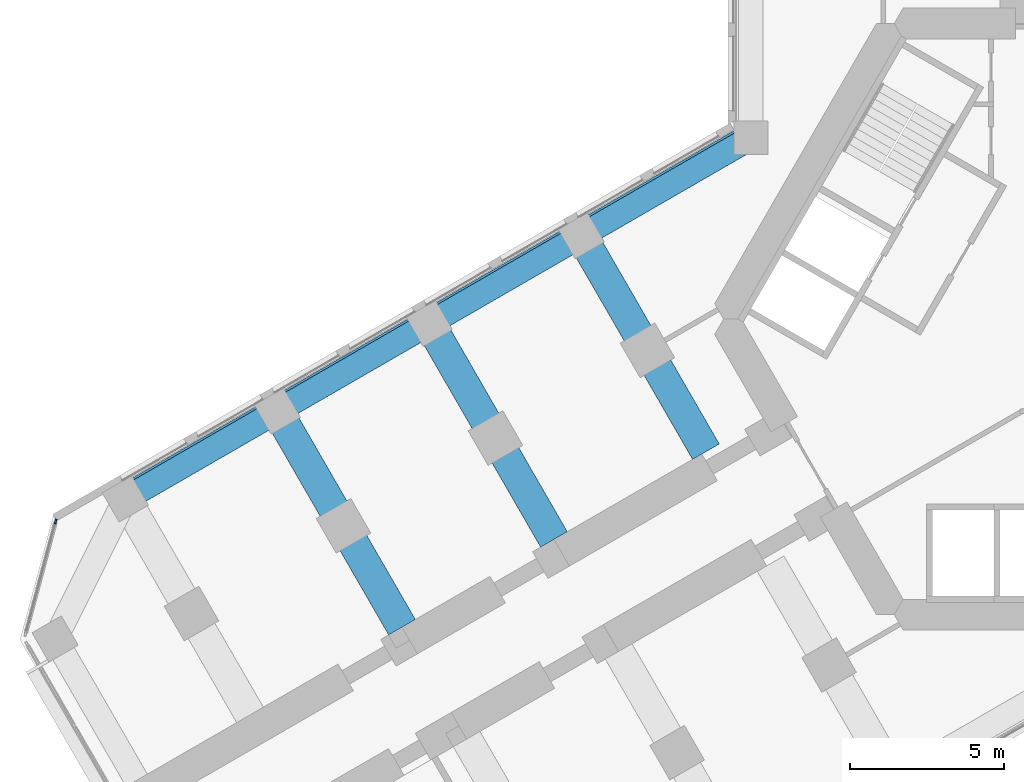
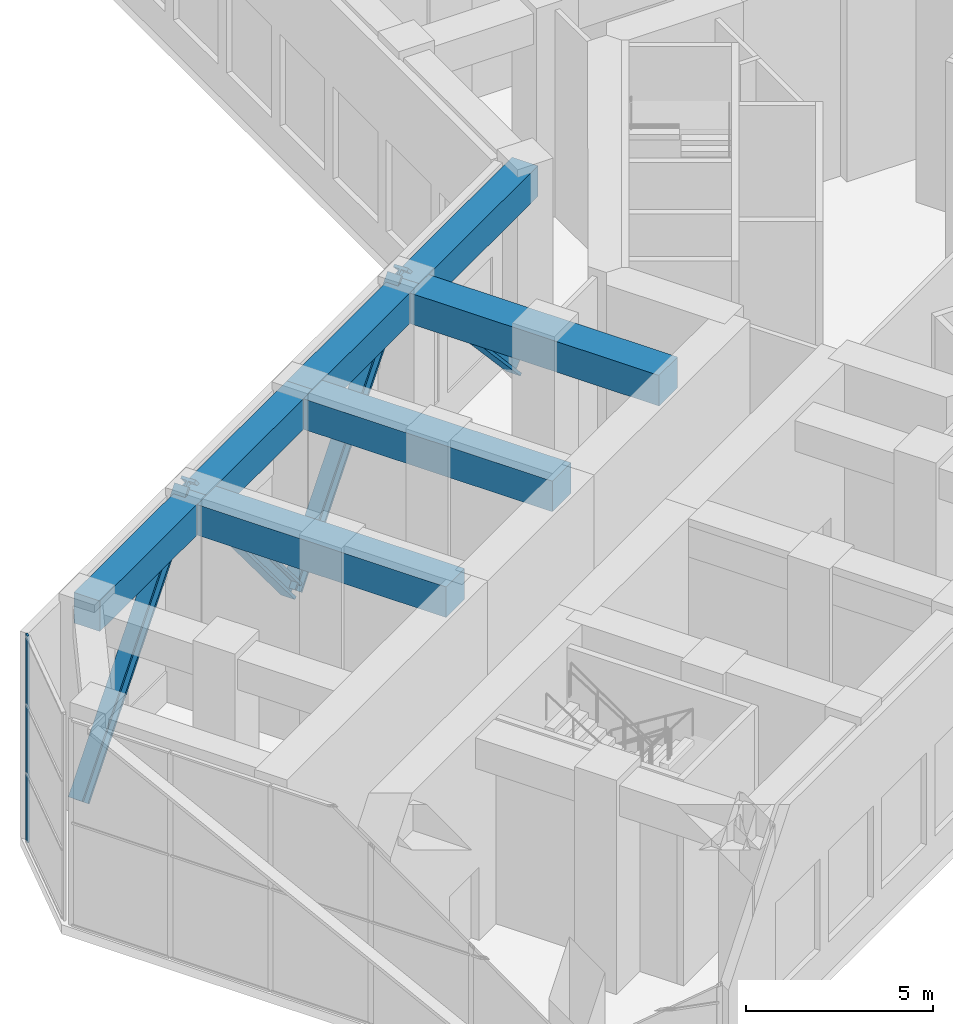
# One storey, part 4 of 17: 7 beams, 5 members, 1 element without a shape of its own.
"""IFC4 building model written with IfcOpenShell, lengths in metres."""

from ifc_helpers import new_model, si_unit, direction, frame, origin, origin_2d, place, context, subcontext, project, spatial, rectangle, i_section, extrude, material, material_profile, profile_set, type_object, element, aggregate, save


model = new_model("IFC4")

# Units and contexts
model_context = context("Model", 3, precision=1e-05, world=origin(), true_north=direction((0.0, 1.0)))
body_context = subcontext(model_context, "Body", "Model", "MODEL_VIEW")
ifc_project = project(units=[si_unit("LENGTHUNIT", "METRE"), si_unit("AREAUNIT", "SQUARE_METRE"), si_unit("VOLUMEUNIT", "CUBIC_METRE"), si_unit("PLANEANGLEUNIT", "RADIAN"), si_unit("MASSUNIT", "GRAM", prefix="KILO")], contexts=[model_context])

# Site, building, storey
site_placement = place(None, origin())
site = spatial("IfcSite", under=ifc_project, at=site_placement, CompositionType="ELEMENT")
building_placement = place(site_placement, origin())
building = spatial("IfcBuilding", under=site, at=building_placement, Name="Kosmar Iwan School Tower", CompositionType="ELEMENT")
storey_placement = place(building_placement, frame((0.0, 0.0, 32.39990234375)))
storey = spatial("IfcBuildingStorey", under=building, at=storey_placement, Name="L07", CompositionType="ELEMENT", Elevation=32.39990234375)

# Members
ifc_material_1 = material(Name="Steel S355", Category="steel")
ifc_material_profile_1 = material_profile(ifc_material_1, i_section(OverallWidth=0.431884765625, OverallDepth=0.498046875, WebThickness=0.0556640625, FlangeThickness=0.0888671875, FilletRadius=0.014892578125, at=origin_2d()), Name="HD 400x744")
ifc_profile_set_1 = profile_set([ifc_material_profile_1], Name="Steel S355")
member_type_1 = type_object("IfcMemberType", Name="Belt truss diagonal HD 400x744", PredefinedType="BRACE", material=ifc_profile_set_1)
member_1_placement = place(storey_placement, frame((-10.326904296875, 6.10888671875, 0.0), z_axis=(-0.59091472383, -0.341156094103, 0.731048773077), x_axis=(0.49999045822, -0.866030912664, 0.0)))
element("IfcMember", 1, at=member_1_placement, inside=storey, type_object=member_type_1, Name="Belt truss diagonal BR1", PredefinedType="BRACE", context=body_context, shape_type="SweptSolid", body=[
    extrude(i_section(OverallWidth=0.431884765625, OverallDepth=0.498046875, WebThickness=0.0556640625, FlangeThickness=0.0888671875, FilletRadius=0.014892578125, at=origin_2d()), origin(), (0.0, 0.0, 1.0), 9.322509765625),
])
member_2_placement = place(storey_placement, frame((-15.835693359375, 2.928466796875, 6.815185546875), z_axis=(-0.555616569323, -0.320784759163, -0.767064121298), x_axis=(0.499999279071, -0.866025820012, 0.0)))
element("IfcMember", 2, at=member_2_placement, inside=storey, type_object=member_type_1, Name="Belt truss diagonal BR2", PredefinedType="BRACE", context=body_context, shape_type="SweptSolid", body=[
    extrude(i_section(OverallWidth=0.431884765625, OverallDepth=0.498046875, WebThickness=0.0556640625, FlangeThickness=0.0888671875, FilletRadius=0.014892578125, at=origin_2d()), origin(), (0.0, 0.0, 1.0), 8.884765625),
])
for number, where, z_axis, x_axis, name in (
    (3, (-20.772216796875, 0.078369140625, 0.0), (-0.555602470658, -0.320765005193, 0.767082594016), (0.49998570155, -0.866033658841, 0.0), "Belt truss diagonal BR3"),
    (4, (-25.70849609375, -2.771484375, 6.815185546875), (-0.555597573225, -0.32078965675, -0.767075832463), (0.50001782563, -0.866015111908, 0.0), "Belt truss diagonal BR4"),
):
    element("IfcMember", number, at=place(storey_placement, frame(where, z_axis=z_axis, x_axis=x_axis)), inside=storey, type_object=member_type_1, Name=name, PredefinedType="BRACE", context=body_context, shape_type="SweptSolid", body=[
        extrude(i_section(OverallWidth=0.431884765625, OverallDepth=0.498046875, WebThickness=0.0556640625, FlangeThickness=0.0888671875, FilletRadius=0.014892578125, at=origin_2d()), origin(), (0.0, 0.0, 1.0), 8.884521484375),
    ])

# Beams
ifc_material_2 = material(Name="Concrete C50/60", Category="concrete")
ifc_material_profile_2 = material_profile(ifc_material_2, rectangle(XDim=0.800048828125, YDim=1.0, at=origin_2d()), Name="RC 800x1000 + HD 400x634")
ifc_profile_set_2 = profile_set([ifc_material_profile_2], Name="Concrete C50/60")
beam_type_1 = type_object("IfcBeamType", Name="Composite edge beam 800x1000 HD 400x634", PredefinedType="BEAM", material=ifc_profile_set_2)
beam_1_placement = place(storey_placement, frame((-10.199951171875, 5.888916015625, 6.25), z_axis=(-0.866030912664, -0.49999045822, 0.0), x_axis=(0.49999045822, -0.866030912664, 0.0)))
element("IfcBeam", 5, at=beam_1_placement, inside=storey, type_object=beam_type_1, Name="Edge beam BR1", PredefinedType="BEAM", context=body_context, shape_type="SweptSolid", body=[
    extrude(rectangle(XDim=0.800048828125, YDim=1.0, at=origin_2d()), origin(), (0.0, 0.0, 1.0), 6.36083984375),
])
beam_2_placement = place(storey_placement, frame((-15.708740234375, 2.70849609375, 6.25), z_axis=(-0.866025820012, -0.499999279071, 0.0), x_axis=(0.499999279071, -0.866025820012, 0.0)))
element("IfcBeam", 6, at=beam_2_placement, inside=storey, type_object=beam_type_1, Name="Edge beam BR2", PredefinedType="BEAM", context=body_context, shape_type="SweptSolid", body=[
    extrude(rectangle(XDim=0.800048828125, YDim=1.0, at=origin_2d()), origin(), (0.0, 0.0, 1.0), 5.7001953125),
])
for number, where, z_axis, x_axis, name in (
    (7, (-20.645263671875, -0.1416015625, 6.25), (-0.866033658841, -0.49998570155, 0.0), (0.49998570155, -0.866033658841, 0.0), "Edge beam BR3"),
    (8, (-25.58154296875, -2.991455078125, 6.25), (-0.866015111908, -0.50001782563, 0.0), (0.50001782563, -0.866015111908, 0.0), "Edge beam BR4"),
):
    element("IfcBeam", number, at=place(storey_placement, frame(where, z_axis=z_axis, x_axis=x_axis)), inside=storey, type_object=beam_type_1, Name=name, PredefinedType="BEAM", context=body_context, shape_type="SweptSolid", body=[
        extrude(rectangle(XDim=0.800048828125, YDim=1.0, at=origin_2d()), origin(), (0.0, 0.0, 1.0), 5.699951171875),
    ])
ifc_material_3 = material(Name="Concrete C50/60", Category="concrete")
ifc_material_profile_3 = material_profile(ifc_material_3, rectangle(XDim=1.0, YDim=1.0, at=origin_2d()), Name="RC 1000x1000 + HD 400x347")
ifc_profile_set_3 = profile_set([ifc_material_profile_3], Name="Concrete C50/60")
beam_type_2 = type_object("IfcBeamType", Name="Composite transverse beam 1000x1000 HD 400x347", PredefinedType="BEAM", material=ifc_profile_set_3)
beam_3_placement = place(storey_placement, frame((-15.708740234375, 2.70849609375, 6.25), z_axis=(0.499999880539, -0.866025472755, 0.0), x_axis=(0.866025472755, 0.499999880539, 0.0)))
element("IfcBeam", 9, at=beam_3_placement, inside=storey, type_object=beam_type_2, Name="Transverse beam BR1", PredefinedType="BEAM", context=body_context, shape_type="SweptSolid", body=[
    extrude(rectangle(XDim=1.0, YDim=1.0, at=origin_2d()), origin(), (0.0, 0.0, 1.0), 8.10009765625),
])
beam_4_placement = place(storey_placement, frame((-20.645263671875, -0.1416015625, 6.25), z_axis=(0.500012932018, -0.866017937352, 0.0), x_axis=(0.866017937352, 0.500012932018, 0.0)))
element("IfcBeam", 10, at=beam_4_placement, inside=storey, type_object=beam_type_2, Name="Transverse beam BR2", PredefinedType="BEAM", context=body_context, shape_type="SweptSolid", body=[
    extrude(rectangle(XDim=1.0, YDim=1.0, at=origin_2d()), origin(), (0.0, 0.0, 1.0), 8.099853515625),
])
beam_5_placement = place(storey_placement, frame((-25.58154296875, -2.991455078125, 6.25), z_axis=(0.499999880539, -0.866025472755, 0.0), x_axis=(0.866025472755, 0.499999880539, 0.0)))
element("IfcBeam", 11, at=beam_5_placement, inside=storey, type_object=beam_type_2, Name="Transverse beam BR3", PredefinedType="BEAM", context=body_context, shape_type="SweptSolid", body=[
    extrude(rectangle(XDim=1.0, YDim=1.0, at=origin_2d()), origin(), (0.0, 0.0, 1.0), 8.10009765625),
])

# Curtain wall, member
ifc_material_4 = material(Name="Dark glass in black aluminium frame", Category="aluminium")
curtain_wall_type = type_object("IfcCurtainWallType", Name="Chamfer curtain wall dark glass", PredefinedType="USERDEFINED", material=ifc_material_4)
curtain_wall_placement = place(storey_placement, origin())
curtain_wall = element("IfcCurtainWall", 12, at=curtain_wall_placement, inside=storey, type_object=curtain_wall_type, Name="Curtain wall L07-F12", ObjectType="FACETED CURTAIN WALL", PredefinedType="USERDEFINED")
ifc_material_5 = material(Name="Black anodised aluminium", Category="aluminium")
ifc_material_profile_4 = material_profile(ifc_material_5, rectangle(XDim=0.06005859375, YDim=0.159912109375, at=origin_2d()), Name="MULLION 60x160")
ifc_profile_set_4 = profile_set([ifc_material_profile_4], Name="Black anodised aluminium")
member_type_2 = type_object("IfcMemberType", Name="Mullion 60x160", PredefinedType="MULLION", material=ifc_profile_set_4)
member_3_placement = place(storey_placement, frame((-32.78076171875, -6.5732421875, 0.0), z_axis=(0.0, 0.0, 1.0), x_axis=(0.965925875495, -0.258818861462, 0.0)))
member_3 = element("IfcMember", 13, at=member_3_placement, type_object=member_type_2, Name="CW2 mullion 1", PredefinedType="MULLION", context=body_context, shape_type="SweptSolid", body=[
    extrude(rectangle(XDim=0.06005859375, YDim=0.159912109375, at=origin_2d()), origin(), (0.0, 0.0, 1.0), 6.75),
])
aggregate(curtain_wall, [member_3])

save(model, "model.ifc")
